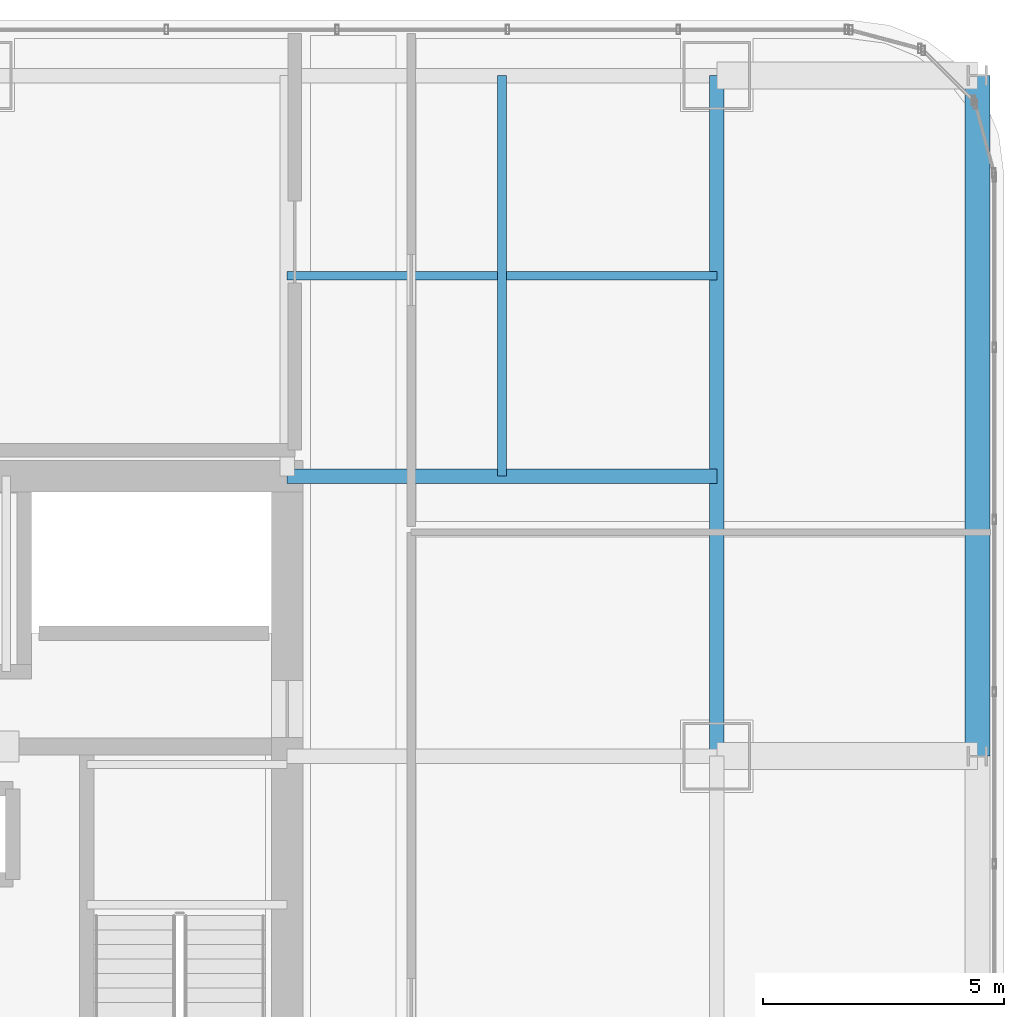
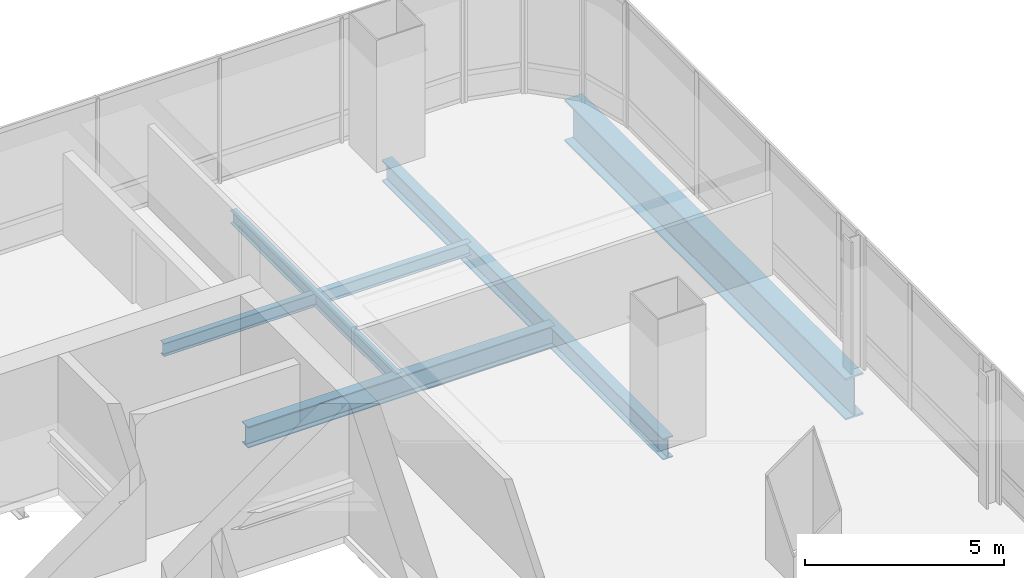
# One storey, part 25 of 35: 5 beams.
"""IFC4 building model written with IfcOpenShell, lengths in metres."""

from ifc_helpers import new_model, si_unit, direction, frame, origin, origin_2d, place, context, subcontext, project, spatial, i_section, extrude, material, material_profile, profile_set, type_object, element, save


model = new_model("IFC4")

# Units and contexts
model_context = context("Model", 3, precision=1e-05, world=origin(), true_north=direction((0.0, 1.0)))
body_context = subcontext(model_context, "Body", "Model", "MODEL_VIEW")
ifc_project = project(units=[si_unit("LENGTHUNIT", "METRE"), si_unit("AREAUNIT", "SQUARE_METRE"), si_unit("VOLUMEUNIT", "CUBIC_METRE"), si_unit("PLANEANGLEUNIT", "RADIAN"), si_unit("MASSUNIT", "GRAM", prefix="KILO")], contexts=[model_context])

# Site, building, storey
site_placement = place(None, origin())
site = spatial("IfcSite", under=ifc_project, at=site_placement, CompositionType="ELEMENT")
building_placement = place(site_placement, origin())
building = spatial("IfcBuilding", under=site, at=building_placement, Name="Punatoya Terracotta Tower", CompositionType="ELEMENT")
storey_placement = place(building_placement, frame((0.0, 0.0, 216.75)))
storey = spatial("IfcBuildingStorey", under=building, at=storey_placement, Name="L51", CompositionType="ELEMENT", Elevation=216.75)

# Beams
ifc_material_1 = material(Name="Steel S355", Category="steel")
ifc_material_profile_1 = material_profile(ifc_material_1, i_section(OverallWidth=0.300048828125, OverallDepth=0.64990234375, WebThickness=0.01611328125, FlangeThickness=0.031005859375, FilletRadius=0.01806640625, at=origin_2d()))
ifc_profile_set_1 = profile_set([ifc_material_profile_1], Name="Steel S355")
beam_type_1 = type_object("IfcBeamType", Name="BM-PRI-650", PredefinedType="BEAM", material=ifc_profile_set_1)
beam_1_placement = place(storey_placement, frame((19.10009765625, 3.39990234375, -0.544921875), z_axis=(0.0, 1.0, 0.0), x_axis=(-1.0, 0.0, 0.0)))
element("IfcBeam", 1, at=beam_1_placement, inside=storey, type_object=beam_type_1, Name="BM-L51-RG-E3", PredefinedType="BEAM", context=body_context, shape_type="SweptSolid", body=[
    extrude(i_section(OverallWidth=0.300048828125, OverallDepth=0.64990234375, WebThickness=0.01611328125, FlangeThickness=0.031005859375, FilletRadius=0.01806640625, at=origin_2d()), origin(), (0.0, 0.0, 1.0), 14.10009765625),
])
beam_2_placement = place(storey_placement, frame((10.199951171875, 9.199951171875, -0.544921875), z_axis=(1.0, 0.0, 0.0), x_axis=(0.0, 1.0, 0.0)))
element("IfcBeam", 2, at=beam_2_placement, inside=storey, type_object=beam_type_1, Name="BM-L51-PR-EN", PredefinedType="BEAM", context=body_context, shape_type="SweptSolid", body=[
    extrude(i_section(OverallWidth=0.300048828125, OverallDepth=0.64990234375, WebThickness=0.01611328125, FlangeThickness=0.031005859375, FilletRadius=0.01806640625, at=origin_2d()), origin(), (0.0, 0.0, 1.0), 8.900146484375),
])
ifc_material_profile_2 = material_profile(ifc_material_1, i_section(OverallWidth=0.179931640625, OverallDepth=0.39990234375, WebThickness=0.008544921875, FlangeThickness=0.013427734375, FilletRadius=0.01806640625, at=origin_2d()))
ifc_profile_set_2 = profile_set([ifc_material_profile_2], Name="Steel S355")
beam_type_2 = type_object("IfcBeamType", Name="BM-SEC-400", PredefinedType="JOIST", material=ifc_profile_set_2)
beam_3_placement = place(storey_placement, frame((10.199951171875, 13.35009765625, -0.419921875), z_axis=(1.0, 0.0, 0.0), x_axis=(0.0, 1.0, 0.0)))
element("IfcBeam", 3, at=beam_3_placement, inside=storey, type_object=beam_type_2, Name="BM-L51-SJN-2", PredefinedType="JOIST", context=body_context, shape_type="SweptSolid", body=[
    extrude(i_section(OverallWidth=0.179931640625, OverallDepth=0.39990234375, WebThickness=0.008544921875, FlangeThickness=0.013427734375, FilletRadius=0.01806640625, at=origin_2d()), origin(), (0.0, 0.0, 1.0), 8.900146484375),
])
beam_4_placement = place(storey_placement, frame((14.64990234375, 9.199951171875, -0.419921875), z_axis=(0.0, 1.0, 0.0), x_axis=(-1.0, 0.0, 0.0)))
element("IfcBeam", 4, at=beam_4_placement, inside=storey, type_object=beam_type_2, Name="BM-L51-SJE-2", PredefinedType="JOIST", context=body_context, shape_type="SweptSolid", body=[
    extrude(i_section(OverallWidth=0.179931640625, OverallDepth=0.39990234375, WebThickness=0.008544921875, FlangeThickness=0.013427734375, FilletRadius=0.01806640625, at=origin_2d()), origin(), (0.0, 0.0, 1.0), 8.300048828125),
])
ifc_material_2 = material(Name="Steel S460", Category="steel")
ifc_material_profile_3 = material_profile(ifc_material_2, i_section(OverallWidth=0.52001953125, OverallDepth=1.280029296875, WebThickness=0.031982421875, FlangeThickness=0.050048828125, FilletRadius=0.01806640625, at=origin_2d()))
ifc_profile_set_3 = profile_set([ifc_material_profile_3], Name="Steel S460")
beam_type_3 = type_object("IfcBeamType", Name="BM-TG-NCK", PredefinedType="BEAM", material=ifc_profile_set_3)
beam_5_placement = place(storey_placement, frame((24.5, 3.39990234375, -0.860107421875), z_axis=(0.0, 1.0, 0.0), x_axis=(-1.0, 0.0, 0.0)))
element("IfcBeam", 5, at=beam_5_placement, inside=storey, type_object=beam_type_3, Name="BM-L51-PER-E3", PredefinedType="BEAM", context=body_context, shape_type="SweptSolid", body=[
    extrude(i_section(OverallWidth=0.52001953125, OverallDepth=1.280029296875, WebThickness=0.031982421875, FlangeThickness=0.050048828125, FilletRadius=0.01806640625, at=origin_2d()), origin(), (0.0, 0.0, 1.0), 14.10009765625),
])

save(model, "model.ifc")
